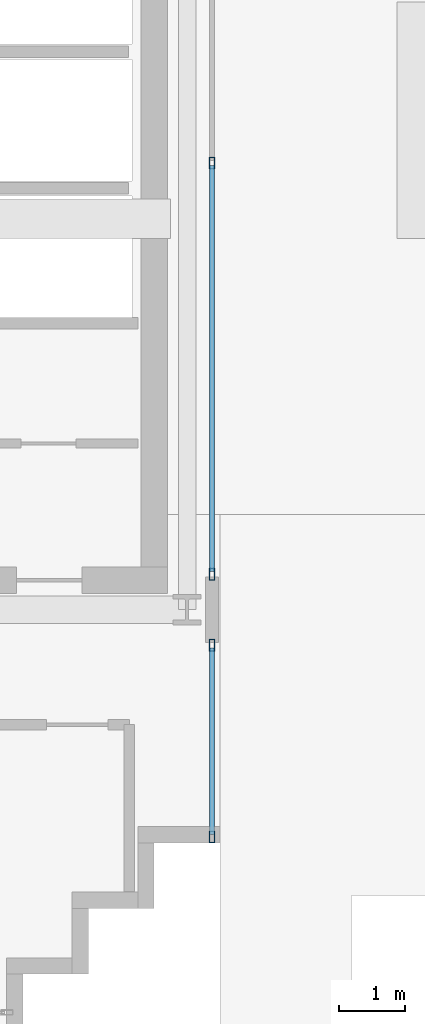
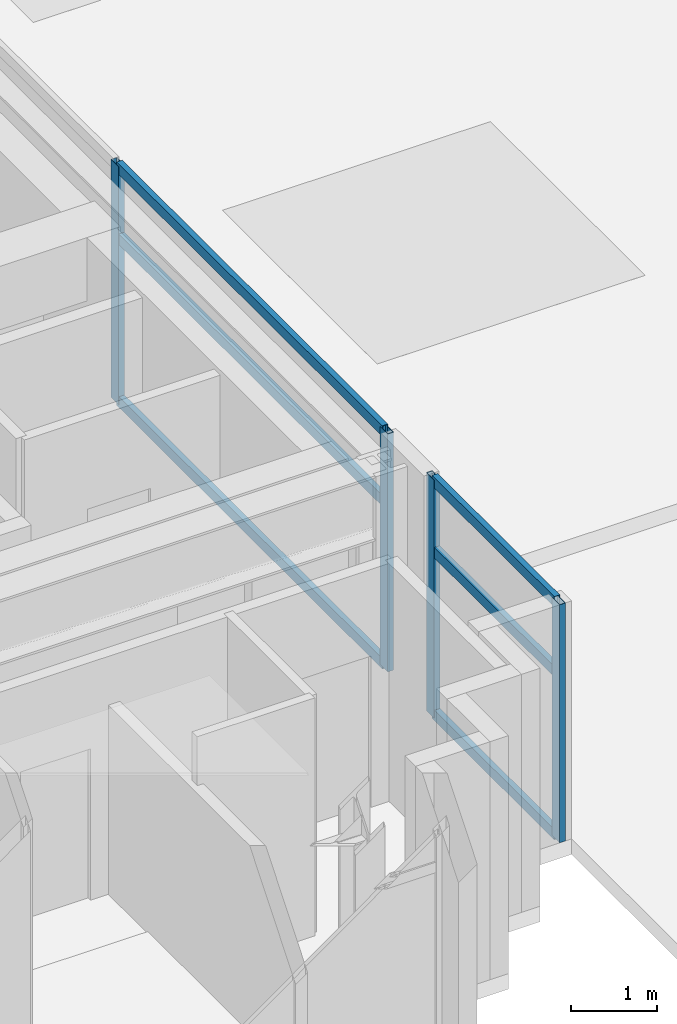
# One storey, part 4 of 25: 10 members, 2 elements without a shape of their own.
"""IFC4 building model written with IfcOpenShell, lengths in metres."""

from ifc_helpers import new_model, si_unit, direction, frame, origin, origin_2d, place, context, subcontext, project, spatial, hollow_rectangle, extrude, source, transform, mapped, material, layer, layer_set, material_profile, profile_set, type_object, element, aggregate, save


model = new_model("IFC4")

# Units and contexts
model_context = context("Model", 3, precision=1e-05, world=origin(), true_north=direction((0.0, 1.0)))
body_context = subcontext(model_context, "Body", "Model", "MODEL_VIEW")
ifc_project = project(units=[si_unit("LENGTHUNIT", "METRE"), si_unit("AREAUNIT", "SQUARE_METRE"), si_unit("VOLUMEUNIT", "CUBIC_METRE"), si_unit("PLANEANGLEUNIT", "RADIAN"), si_unit("MASSUNIT", "GRAM", prefix="KILO")], contexts=[model_context])

# Site, building, storey
site_placement = place(None, origin())
site = spatial("IfcSite", under=ifc_project, at=site_placement, CompositionType="ELEMENT")
building_placement = place(site_placement, origin())
building = spatial("IfcBuilding", under=site, at=building_placement, Name="Ocotamira Hotel", CompositionType="ELEMENT")
storey_placement = place(building_placement, frame((0.0, 0.0, 250.800048828125)))
storey = spatial("IfcBuildingStorey", under=building, at=storey_placement, Name="L63", CompositionType="ELEMENT", Elevation=250.800048828125)

# Curtain wall, members
ifc_material_1 = material(Name="Anodised pale-metal aluminium and solar glass", Category="aluminium")
ifc_layer = layer(ifc_material_1, 0.2099609375)
ifc_layer_set = layer_set([ifc_layer], Name="Anodised pale-metal aluminium and solar glass")
curtain_wall_type = type_object("IfcCurtainWallType", Name="CW-SYS7-PEAK", PredefinedType="NOTDEFINED", material=ifc_layer_set)
curtain_wall_1_placement = place(storey_placement, origin())
curtain_wall_1 = element("IfcCurtainWall", 1, at=curtain_wall_1_placement, inside=storey, type_object=curtain_wall_type, Name="L63 Curtain Wall CW-7 CW-L63-WI1", PredefinedType="NOTDEFINED")
ifc_material_2 = material(Name="Anodised pale-metal aluminium 6063-T6", Category="aluminium")
ifc_material_profile_1 = material_profile(ifc_material_2, hollow_rectangle(XDim=0.080078125, YDim=0.179931640625, WallThickness=0.006103515625, at=origin_2d()), Name="HSS180X80X6")
ifc_profile_set_1 = profile_set([ifc_material_profile_1], Name="Anodised pale-metal aluminium 6063-T6")
member_type_1 = type_object("IfcMemberType", Name="CWM-180X75", PredefinedType="MULLION", material=ifc_profile_set_1)
shared_shape_1 = source(origin(), body_context, "Body", "SweptSolid", [
    extrude(hollow_rectangle(XDim=0.080078125, YDim=0.179931640625, WallThickness=0.006103515625, at=origin_2d()), origin(), (0.0, 0.0, 1.0), 3.3798828125),
])
member_1_placement = place(storey_placement, frame((23.8798828125, 11.090087890625, 0.0), z_axis=(0.0, 0.0, 1.0), x_axis=(-1.0, 0.0, 0.0)))
member_1 = element("IfcMember", 2, at=member_1_placement, type_object=member_type_1, Name="CW-7 mullion 1", PredefinedType="MULLION", context=body_context, shape_type="MappedRepresentation", body=[
    mapped(shared_shape_1, transform((0.0, 0.0, 0.0), scale=1.0)),
])
member_2_placement = place(storey_placement, frame((23.8798828125, 14.010009765625, 0.0), z_axis=(0.0, 0.0, 1.0), x_axis=(-1.0, 0.0, 0.0)))
member_2 = element("IfcMember", 3, at=member_2_placement, type_object=member_type_1, Name="CW-7 mullion 2", PredefinedType="MULLION", context=body_context, shape_type="MappedRepresentation", body=[
    mapped(shared_shape_1, transform((0.0, 0.0, 0.0), scale=1.0)),
])

curtain_wall_2_placement = place(storey_placement, origin())
curtain_wall_2 = element("IfcCurtainWall", 4, at=curtain_wall_2_placement, inside=storey, type_object=curtain_wall_type, Name="L63 Curtain Wall CW-7 CW-L63-WI2", PredefinedType="NOTDEFINED")
member_3_placement = place(storey_placement, frame((23.8798828125, 15.090087890625, 0.0), z_axis=(0.0, 0.0, 1.0), x_axis=(-1.0, 0.0, 0.0)))
member_3 = element("IfcMember", 5, at=member_3_placement, type_object=member_type_1, Name="CW-7 mullion 1", PredefinedType="MULLION", context=body_context, shape_type="MappedRepresentation", body=[
    mapped(shared_shape_1, transform((0.0, 0.0, 0.0), scale=1.0)),
])
member_4_placement = place(storey_placement, frame((23.8798828125, 21.35009765625, 0.0), z_axis=(0.0, 0.0, 1.0), x_axis=(-1.0, 0.0, 0.0)))
member_4 = element("IfcMember", 6, at=member_4_placement, type_object=member_type_1, Name="CW-7 mullion 2", PredefinedType="MULLION", context=body_context, shape_type="MappedRepresentation", body=[
    mapped(shared_shape_1, transform((0.0, 0.0, 0.0), scale=1.0)),
])

# Member
ifc_material_profile_2 = material_profile(ifc_material_2, hollow_rectangle(XDim=0.074951171875, YDim=0.14990234375, WallThickness=0.006103515625, at=origin_2d()), Name="HSS150X75X6")
ifc_profile_set_2 = profile_set([ifc_material_profile_2], Name="Anodised pale-metal aluminium 6063-T6")
member_type_2 = type_object("IfcMemberType", Name="CWT-150X75", PredefinedType="USERDEFINED", material=ifc_profile_set_2)
shared_shape_2 = source(origin(), body_context, "Body", "SweptSolid", [
    extrude(hollow_rectangle(XDim=0.074951171875, YDim=0.14990234375, WallThickness=0.006103515625, at=origin_2d()), origin(), (0.0, 0.0, 1.0), 2.840087890625),
])
member_5_placement = place(storey_placement, frame((23.8798828125, 11.1298828125, 0.037353515625), z_axis=(0.0, 1.0, 0.0), x_axis=(-1.0, 0.0, 0.0)))
member_5 = element("IfcMember", 7, at=member_5_placement, type_object=member_type_2, Name="CW-7 transom 1.1", ObjectType="TRANSOM", PredefinedType="USERDEFINED", context=body_context, shape_type="MappedRepresentation", body=[
    mapped(shared_shape_2, transform((0.0, 0.0, 0.0), scale=1.0)),
])

member_6_placement = place(storey_placement, frame((23.8798828125, 11.1298828125, 2.349853515625), z_axis=(0.0, 1.0, 0.0), x_axis=(-1.0, 0.0, 0.0)))
member_6 = element("IfcMember", 8, at=member_6_placement, type_object=member_type_2, Name="CW-7 transom 1.2", ObjectType="TRANSOM", PredefinedType="USERDEFINED", context=body_context, shape_type="MappedRepresentation", body=[
    mapped(shared_shape_2, transform((0.0, 0.0, 0.0), scale=1.0)),
])

member_7_placement = place(storey_placement, frame((23.8798828125, 11.1298828125, 3.342529296875), z_axis=(0.0, 1.0, 0.0), x_axis=(-1.0, 0.0, 0.0)))
member_7 = element("IfcMember", 9, at=member_7_placement, type_object=member_type_2, Name="CW-7 transom 1.3", ObjectType="TRANSOM", PredefinedType="USERDEFINED", context=body_context, shape_type="MappedRepresentation", body=[
    mapped(shared_shape_2, transform((0.0, 0.0, 0.0), scale=1.0)),
])

aggregate(curtain_wall_1, [member_1, member_2, member_5, member_6, member_7])

shared_shape_3 = source(origin(), body_context, "Body", "SweptSolid", [
    extrude(hollow_rectangle(XDim=0.074951171875, YDim=0.14990234375, WallThickness=0.006103515625, at=origin_2d()), origin(), (0.0, 0.0, 1.0), 6.18017578125),
])
member_8_placement = place(storey_placement, frame((23.8798828125, 15.1298828125, 0.037353515625), z_axis=(0.0, 1.0, 0.0), x_axis=(-1.0, 0.0, 0.0)))
member_8 = element("IfcMember", 10, at=member_8_placement, type_object=member_type_2, Name="CW-7 transom 1.1", ObjectType="TRANSOM", PredefinedType="USERDEFINED", context=body_context, shape_type="MappedRepresentation", body=[
    mapped(shared_shape_3, transform((0.0, 0.0, 0.0), scale=1.0)),
])

member_9_placement = place(storey_placement, frame((23.8798828125, 15.1298828125, 2.349853515625), z_axis=(0.0, 1.0, 0.0), x_axis=(-1.0, 0.0, 0.0)))
member_9 = element("IfcMember", 11, at=member_9_placement, type_object=member_type_2, Name="CW-7 transom 1.2", ObjectType="TRANSOM", PredefinedType="USERDEFINED", context=body_context, shape_type="MappedRepresentation", body=[
    mapped(shared_shape_3, transform((0.0, 0.0, 0.0), scale=1.0)),
])

member_10_placement = place(storey_placement, frame((23.8798828125, 15.1298828125, 3.342529296875), z_axis=(0.0, 1.0, 0.0), x_axis=(-1.0, 0.0, 0.0)))
member_10 = element("IfcMember", 12, at=member_10_placement, type_object=member_type_2, Name="CW-7 transom 1.3", ObjectType="TRANSOM", PredefinedType="USERDEFINED", context=body_context, shape_type="MappedRepresentation", body=[
    mapped(shared_shape_3, transform((0.0, 0.0, 0.0), scale=1.0)),
])

aggregate(curtain_wall_2, [member_3, member_4, member_8, member_9, member_10])

save(model, "model.ifc")
